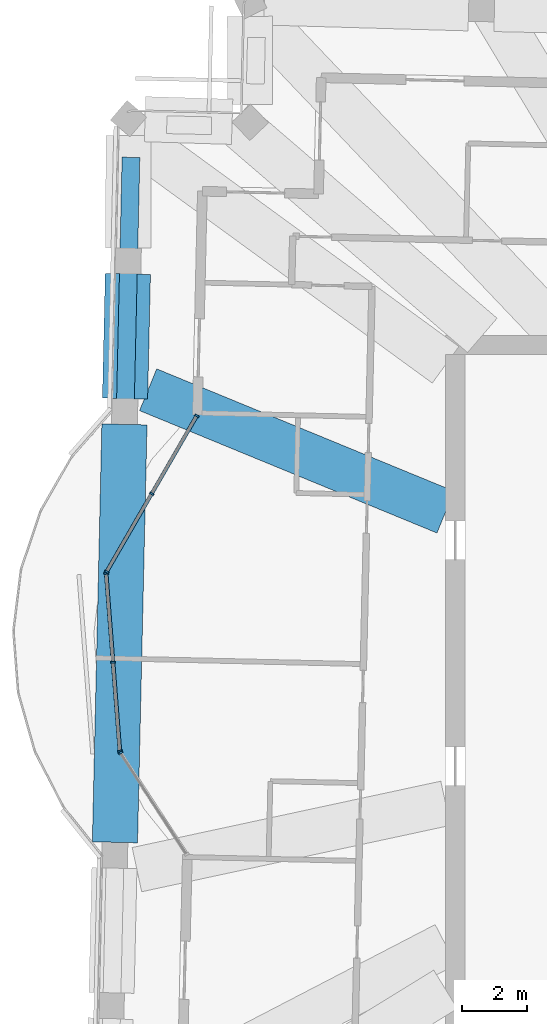
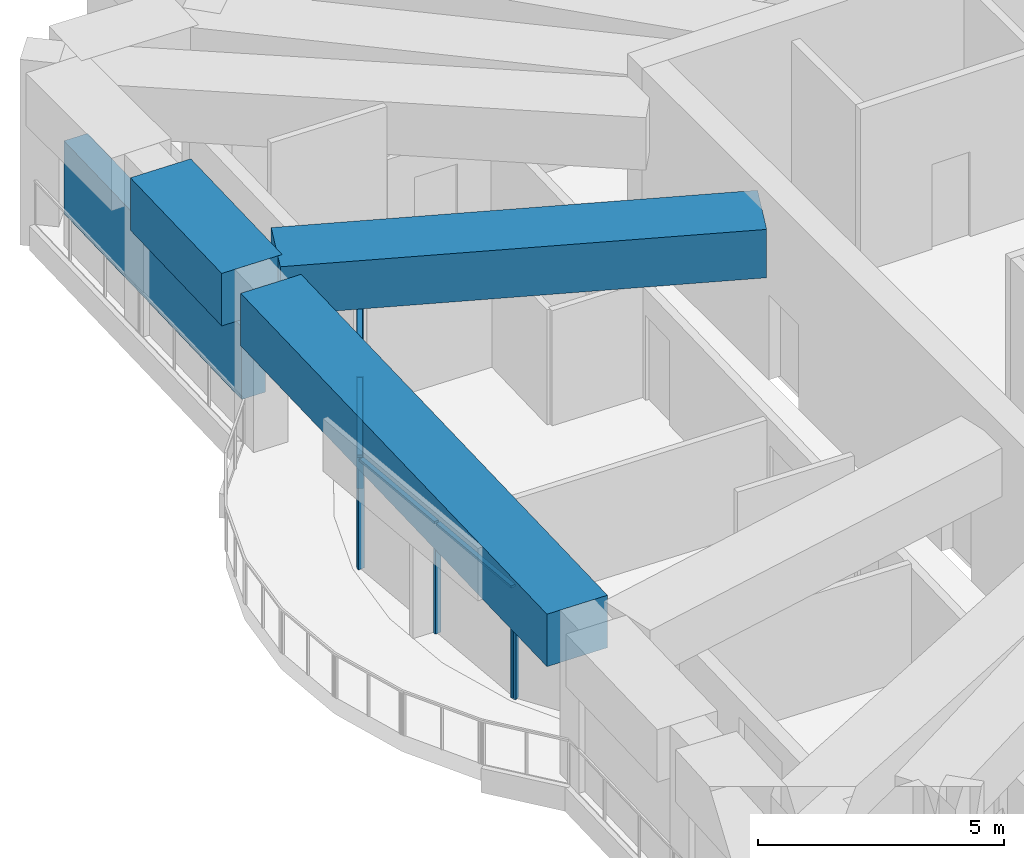
# One storey, part 4 of 19: 12 members, 3 beams, 3 elements without a shape of their own.
"""IFC4 building model written with IfcOpenShell, lengths in metres."""

from ifc_helpers import new_model, si_unit, direction, frame, origin, origin_2d, place, context, subcontext, project, spatial, rectangle, extrude, material, material_profile, profile_set, type_object, element, aggregate, save


model = new_model("IFC4")

# Units and contexts
model_context = context("Model", 3, precision=1e-05, world=origin(), true_north=direction((0.0, 1.0)))
body_context = subcontext(model_context, "Body", "Model", "MODEL_VIEW")
ifc_project = project(units=[si_unit("LENGTHUNIT", "METRE"), si_unit("AREAUNIT", "SQUARE_METRE"), si_unit("VOLUMEUNIT", "CUBIC_METRE"), si_unit("PLANEANGLEUNIT", "RADIAN"), si_unit("MASSUNIT", "GRAM", prefix="KILO")], contexts=[model_context])

# Site, building, storey
site_placement = place(None, origin())
site = spatial("IfcSite", under=ifc_project, at=site_placement, CompositionType="ELEMENT")
building_placement = place(site_placement, origin())
building = spatial("IfcBuilding", under=site, at=building_placement, Name="Mangrove Gate Tower", CompositionType="ELEMENT")
storey_placement = place(building_placement, frame((0.0, 0.0, 346.10009765625)))
storey = spatial("IfcBuildingStorey", under=building, at=storey_placement, Name="L88", CompositionType="ELEMENT", Elevation=346.10009765625)

# Curtain wall, members
ifc_material_1 = material(Name="Aluminium and glass curtain wall", Category="aluminium")
curtain_wall_type = type_object("IfcCurtainWallType", Name="Crown garden glazing wall", PredefinedType="NOTDEFINED", material=ifc_material_1)
curtain_wall_1_placement = place(storey_placement, origin())
curtain_wall_1 = element("IfcCurtainWall", 1, at=curtain_wall_1_placement, inside=storey, type_object=curtain_wall_type, Name="Crown garden glazing W9f1", PredefinedType="NOTDEFINED")
ifc_material_2 = material(Name="Aluminium alloy 6063-T6", Category="aluminium")
ifc_material_profile_1 = material_profile(ifc_material_2, rectangle(XDim=0.06005859375, YDim=0.139892578125, at=origin_2d()))
ifc_profile_set_1 = profile_set([ifc_material_profile_1], Name="Aluminium alloy 6063-T6")
member_type_1 = type_object("IfcMemberType", Name="Crown garden glazing mullion 60x140", PredefinedType="MULLION", material=ifc_profile_set_1)
member_1_placement = place(storey_placement, frame((-22.10498046875, 8.911376953125, 0.0), z_axis=(0.0, 0.0, 1.0), x_axis=(-0.500418160284, -0.865783844189, 0.0)))
member_1 = element("IfcMember", 2, at=member_1_placement, type_object=member_type_1, Name="CWC mullion 1", PredefinedType="MULLION", context=body_context, shape_type="SweptSolid", body=[
    extrude(rectangle(XDim=0.06005859375, YDim=0.139892578125, at=origin_2d()), origin(), (0.0, 0.0, 1.0), 2.75),
])
member_2_placement = place(storey_placement, frame((-23.50146484375, 6.4951171875, 0.0), z_axis=(0.0, 0.0, 1.0), x_axis=(-0.500418160284, -0.865783844189, 0.0)))
member_2 = element("IfcMember", 3, at=member_2_placement, type_object=member_type_1, Name="CWC mullion 2", PredefinedType="MULLION", context=body_context, shape_type="SweptSolid", body=[
    extrude(rectangle(XDim=0.06005859375, YDim=0.139892578125, at=origin_2d()), origin(), (0.0, 0.0, 1.0), 2.75),
])
member_3_placement = place(storey_placement, frame((-24.898193359375, 4.078857421875, 0.0), z_axis=(0.0, 0.0, 1.0), x_axis=(-0.500418160284, -0.865783844189, 0.0)))
member_3 = element("IfcMember", 4, at=member_3_placement, type_object=member_type_1, Name="CWC mullion 3", PredefinedType="MULLION", context=body_context, shape_type="SweptSolid", body=[
    extrude(rectangle(XDim=0.06005859375, YDim=0.139892578125, at=origin_2d()), origin(), (0.0, 0.0, 1.0), 2.75),
])

curtain_wall_2_placement = place(storey_placement, origin())
curtain_wall_2 = element("IfcCurtainWall", 5, at=curtain_wall_2_placement, inside=storey, type_object=curtain_wall_type, Name="Crown garden glazing W9f2", PredefinedType="NOTDEFINED")
member_4_placement = place(storey_placement, frame((-24.910888671875, 4.02294921875, 0.0), z_axis=(0.0, 0.0, 1.0), x_axis=(0.077023348403, -0.997029289339, 0.0)))
member_4 = element("IfcMember", 6, at=member_4_placement, type_object=member_type_1, Name="CWC mullion 1", PredefinedType="MULLION", context=body_context, shape_type="SweptSolid", body=[
    extrude(rectangle(XDim=0.06005859375, YDim=0.139892578125, at=origin_2d()), origin(), (0.0, 0.0, 1.0), 2.75),
])
member_5_placement = place(storey_placement, frame((-24.698486328125, 1.2744140625, 0.0), z_axis=(0.0, 0.0, 1.0), x_axis=(0.077023348403, -0.997029289339, 0.0)))
member_5 = element("IfcMember", 7, at=member_5_placement, type_object=member_type_1, Name="CWC mullion 2", PredefinedType="MULLION", context=body_context, shape_type="SweptSolid", body=[
    extrude(rectangle(XDim=0.06005859375, YDim=0.139892578125, at=origin_2d()), origin(), (0.0, 0.0, 1.0), 2.75),
])
member_6_placement = place(storey_placement, frame((-24.486083984375, -1.47412109375, 0.0), z_axis=(0.0, 0.0, 1.0), x_axis=(0.077023348403, -0.997029289339, 0.0)))
member_6 = element("IfcMember", 8, at=member_6_placement, type_object=member_type_1, Name="CWC mullion 3", PredefinedType="MULLION", context=body_context, shape_type="SweptSolid", body=[
    extrude(rectangle(XDim=0.06005859375, YDim=0.139892578125, at=origin_2d()), origin(), (0.0, 0.0, 1.0), 2.75),
])

# Curtain wall, member
curtain_wall_3_placement = place(storey_placement, origin())
curtain_wall_3 = element("IfcCurtainWall", 9, at=curtain_wall_3_placement, inside=storey, type_object=curtain_wall_type, Name="Crown garden glazing W9f3", PredefinedType="NOTDEFINED")
member_7_placement = place(storey_placement, frame((-24.467529296875, -1.529052734375, 0.0), z_axis=(0.0, 0.0, 1.0), x_axis=(0.546235085045, -0.837631919083, 0.0)))
member_7 = element("IfcMember", 10, at=member_7_placement, type_object=member_type_1, Name="CWC mullion 1", PredefinedType="MULLION", context=body_context, shape_type="SweptSolid", body=[
    extrude(rectangle(XDim=0.06005859375, YDim=0.139892578125, at=origin_2d()), origin(), (0.0, 0.0, 1.0), 2.75),
])
aggregate(curtain_wall_3, [member_7])

# Member
ifc_material_3 = material(Name="Aluminium alloy 6063-T6", Category="aluminium")
ifc_material_profile_2 = material_profile(ifc_material_3, rectangle(XDim=0.06005859375, YDim=0.110107421875, at=origin_2d()))
ifc_profile_set_2 = profile_set([ifc_material_profile_2], Name="Aluminium alloy 6063-T6")
member_type_2 = type_object("IfcMemberType", Name="Crown garden glazing transom 60x110", PredefinedType="USERDEFINED", material=ifc_profile_set_2)
member_8_placement = place(storey_placement, frame((-22.119873046875, 8.885498046875, 2.719970703125), z_axis=(-0.500465258138, -0.865756620187, 0.0), x_axis=(0.0, 0.0, 1.0)))
member_8 = element("IfcMember", 11, at=member_8_placement, type_object=member_type_2, Name="CWC transom 1.2", ObjectType="TRANSOM", PredefinedType="USERDEFINED", context=body_context, shape_type="SweptSolid", body=[
    extrude(rectangle(XDim=0.06005859375, YDim=0.110107421875, at=origin_2d()), origin(), (0.0, 0.0, 1.0), 2.73095703125),
])

member_9_placement = place(storey_placement, frame((-23.5166015625, 6.46923828125, 2.719970703125), z_axis=(-0.500359513284, -0.865817739173, 0.0), x_axis=(0.0, 0.0, 1.0)))
member_9 = element("IfcMember", 12, at=member_9_placement, type_object=member_type_2, Name="CWC transom 2.2", ObjectType="TRANSOM", PredefinedType="USERDEFINED", context=body_context, shape_type="SweptSolid", body=[
    extrude(rectangle(XDim=0.06005859375, YDim=0.110107421875, at=origin_2d()), origin(), (0.0, 0.0, 1.0), 2.73095703125),
])

aggregate(curtain_wall_1, [member_1, member_2, member_3, member_8, member_9])

member_10_placement = place(storey_placement, frame((-24.908447265625, 3.9931640625, 2.719970703125), z_axis=(0.076952650158, -0.997034748458, 0.0), x_axis=(0.0, 0.0, 1.0)))
member_10 = element("IfcMember", 13, at=member_10_placement, type_object=member_type_2, Name="CWC transom 1.2", ObjectType="TRANSOM", PredefinedType="USERDEFINED", context=body_context, shape_type="SweptSolid", body=[
    extrude(rectangle(XDim=0.06005859375, YDim=0.110107421875, at=origin_2d()), origin(), (0.0, 0.0, 1.0), 2.69677734375),
])

member_11_placement = place(storey_placement, frame((-24.6962890625, 1.24462890625, 2.719970703125), z_axis=(0.077042645639, -0.997027798385, 0.0), x_axis=(0.0, 0.0, 1.0)))
member_11 = element("IfcMember", 14, at=member_11_placement, type_object=member_type_2, Name="CWC transom 2.2", ObjectType="TRANSOM", PredefinedType="USERDEFINED", context=body_context, shape_type="SweptSolid", body=[
    extrude(rectangle(XDim=0.06005859375, YDim=0.110107421875, at=origin_2d()), origin(), (0.0, 0.0, 1.0), 2.69677734375),
])

aggregate(curtain_wall_2, [member_4, member_5, member_6, member_10, member_11])

ifc_material_4 = material(Name="Planting on aluminium trellis", Category="aluminium")
ifc_material_profile_3 = material_profile(ifc_material_4, rectangle(XDim=0.550048828125, YDim=1.800048828125, at=origin_2d()))
ifc_profile_set_3 = profile_set([ifc_material_profile_3], Name="Planting on aluminium trellis")
member_type_3 = type_object("IfcMemberType", Name="Roof greenery screen 550x1800", PredefinedType="USERDEFINED", material=ifc_profile_set_3)
member_12_placement = place(storey_placement, frame((-24.31494140625, 9.405029296875, 1.699951171875), z_axis=(0.022620263121, 0.999744129113, 0.0), x_axis=(-0.999744129113, 0.022620263121, 0.0)))
element("IfcMember", 15, at=member_12_placement, inside=storey, type_object=member_type_3, Name="GREEN SCREEN L88 T3.1.25", ObjectType="PLANTING", PredefinedType="USERDEFINED", context=body_context, shape_type="SweptSolid", body=[
    extrude(rectangle(XDim=0.550048828125, YDim=1.800048828125, at=origin_2d()), origin(), (0.0, 0.0, 1.0), 7.511962890625),
])

# Beams
ifc_material_5 = material(Name="Concrete C50/60", Category="concrete")
ifc_material_profile_4 = material_profile(ifc_material_5, rectangle(XDim=1.39990234375, YDim=1.199951171875, at=origin_2d()))
ifc_profile_set_4 = profile_set([ifc_material_profile_4], Name="Concrete C50/60")
beam_type_1 = type_object("IfcBeamType", Name="Transfer girder RC 1400x1200 C50/60", PredefinedType="BEAM", material=ifc_profile_set_4)
beam_1_placement = place(storey_placement, frame((-14.39990234375, 5.925048828125, 3.449951171875), z_axis=(-0.924774494323, 0.380515616828, 0.0), x_axis=(-0.380515616828, -0.924774494323, 0.0)))
element("IfcBeam", 16, at=beam_1_placement, inside=storey, type_object=beam_type_1, Name="Transfer girder L88 25", PredefinedType="BEAM", context=body_context, shape_type="SweptSolid", body=[
    extrude(rectangle(XDim=1.39990234375, YDim=1.199951171875, at=origin_2d()), origin(), (0.0, 0.0, 1.0), 9.962890625),
])
ifc_material_6 = material(Name="Concrete C50/60", Category="concrete")
ifc_material_profile_5 = material_profile(ifc_material_6, rectangle(XDim=1.39990234375, YDim=1.300048828125, at=origin_2d()))
ifc_profile_set_5 = profile_set([ifc_material_profile_5], Name="Concrete C50/60")
beam_type_2 = type_object("IfcBeamType", Name="Transfer girder RC 1400x1300 C50/60", PredefinedType="BEAM", material=ifc_profile_set_5)
beam_2_placement = place(storey_placement, frame((-24.2412109375, 13.303955078125, 3.39990234375), z_axis=(-0.022757304258, -0.999741019016, 0.0), x_axis=(0.999741019016, -0.022757304258, 0.0)))
element("IfcBeam", 17, at=beam_2_placement, inside=storey, type_object=beam_type_2, Name="Transfer ring girder L88 28", PredefinedType="BEAM", context=body_context, shape_type="SweptSolid", body=[
    extrude(rectangle(XDim=1.39990234375, YDim=1.300048828125, at=origin_2d()), origin(), (0.0, 0.0, 1.0), 3.862060546875),
])
beam_3_placement = place(storey_placement, frame((-24.34716796875, 8.64306640625, 3.39990234375), z_axis=(-0.022697424684, -0.999742380272, 0.0), x_axis=(0.999742380272, -0.022697424684, 0.0)))
element("IfcBeam", 18, at=beam_3_placement, inside=storey, type_object=beam_type_2, Name="Transfer ring girder L88 29", PredefinedType="BEAM", context=body_context, shape_type="SweptSolid", body=[
    extrude(rectangle(XDim=1.39990234375, YDim=1.300048828125, at=origin_2d()), origin(), (0.0, 0.0, 1.0), 12.95068359375),
])

save(model, "model.ifc")
